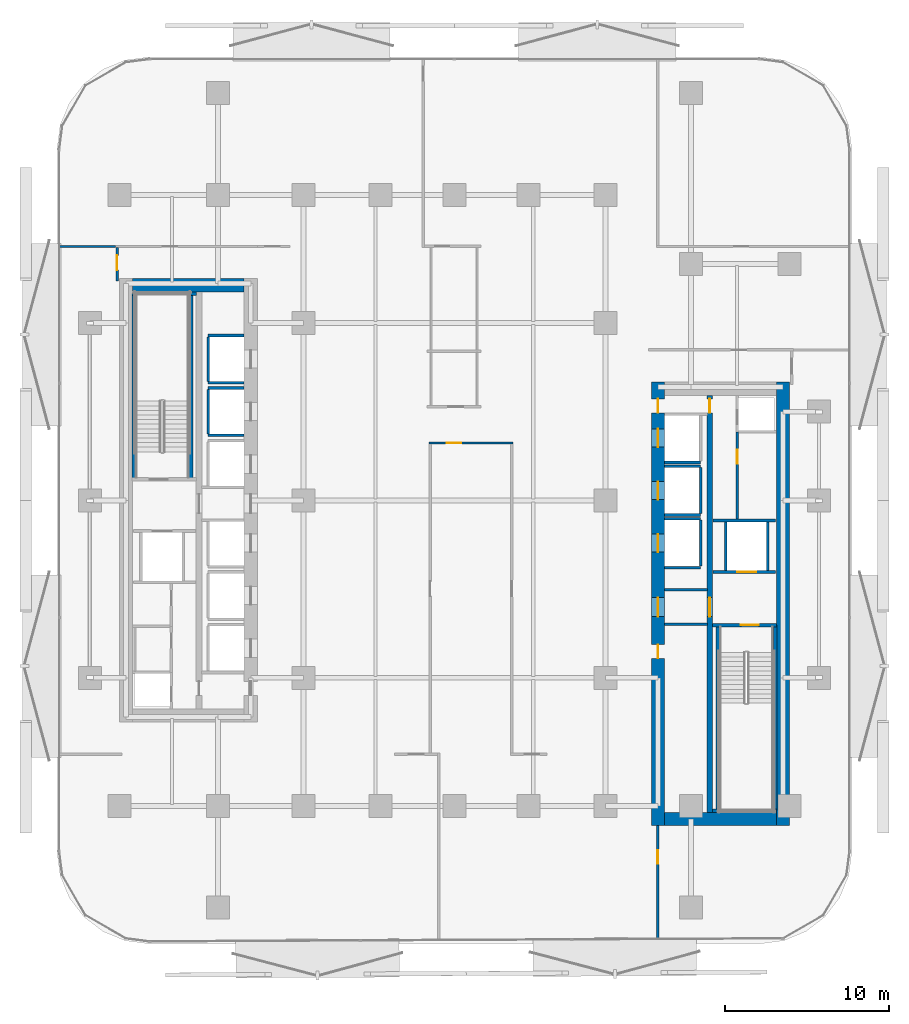
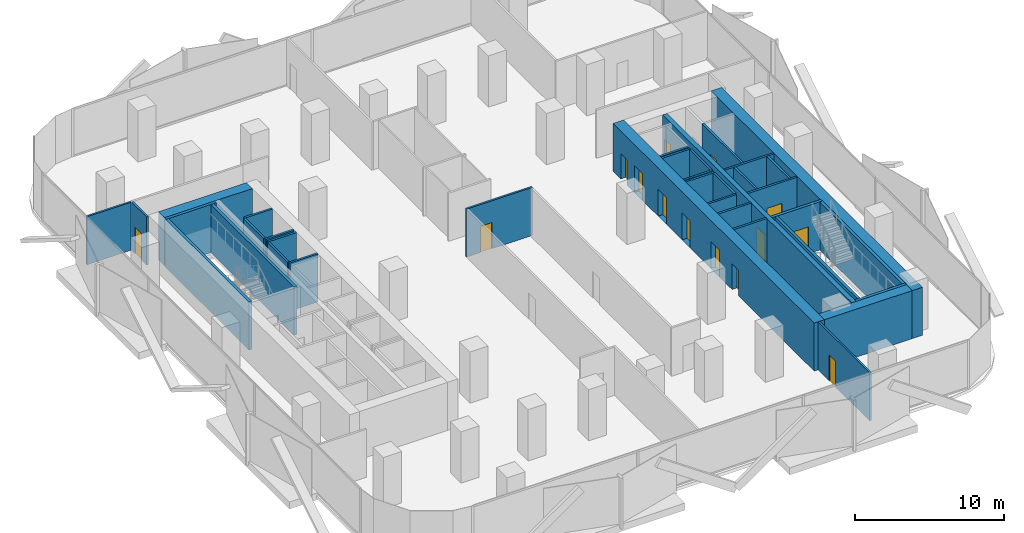
# One storey, part 4 of 14: 36 walls, 14 doors, 14 openings.
"""IFC4 building model written with IfcOpenShell, lengths in metres."""

from ifc_helpers import new_model, si_unit, direction, frame, frame_2d, origin, place, context, subcontext, project, spatial, rectangle, extrude, material, layer, layer_set, type_object, element, fill, save


model = new_model("IFC4")

# Units and contexts
model_context = context("Model", 3, precision=1e-05, world=origin(), true_north=direction((0.0, 1.0)))
body_context = subcontext(model_context, "Body", "Model", "MODEL_VIEW")
ifc_project = project(units=[si_unit("LENGTHUNIT", "METRE"), si_unit("AREAUNIT", "SQUARE_METRE"), si_unit("VOLUMEUNIT", "CUBIC_METRE"), si_unit("PLANEANGLEUNIT", "RADIAN"), si_unit("MASSUNIT", "GRAM", prefix="KILO")], contexts=[model_context])

# Site, building, storey
site_placement = place(None, origin())
site = spatial("IfcSite", under=ifc_project, at=site_placement, CompositionType="ELEMENT")
building_placement = place(site_placement, origin())
building = spatial("IfcBuilding", under=site, at=building_placement, Name="Khairoan Windgate Tower", CompositionType="ELEMENT")
storey_placement = place(building_placement, frame((0.0, 0.0, 63.800048828125)))
storey = spatial("IfcBuildingStorey", under=building, at=storey_placement, Name="L15", CompositionType="ELEMENT", Elevation=63.800048828125)

# Walls
ifc_material_1 = material(Name="Concrete C40/50", Category="concrete")
ifc_layer_1 = layer(ifc_material_1, 0.159912109375, Name="Concrete C40/50")
ifc_layer_set_1 = layer_set([ifc_layer_1], Name="Concrete C40/50")
wall_type_1 = type_object("IfcWallType", Name="Core and Hoistway Enclosure Wall", PredefinedType="STANDARD", material=ifc_layer_set_1)
for number, where, z_axis, x_axis, name in (
    (1, (-14.989990234375, 7.159912109375, 0.0), (0.0, 0.0, 1.0), (1.0, 0.0, 0.0), "L15 Lift PL1 Hoistway Divider S"),
    (2, (-14.989990234375, 10.0400390625, 0.0), (0.0, 0.0, 1.0), (1.0, 0.0, 0.0), "L15 Lift PL1 Hoistway Divider N"),
):
    element("IfcWall", number, at=place(storey_placement, frame(where, z_axis=z_axis, x_axis=x_axis)), inside=storey, type_object=wall_type_1, Name=name, PredefinedType="STANDARD", context=body_context, shape_type="SweptSolid", body=[
        extrude(rectangle(XDim=2.18994140625, YDim=0.159912109375, at=frame_2d((1.094970703125, 0.0))), origin(), (0.0, 0.0, 1.0), 3.93994140625),
    ])
wall_1_placement = place(storey_placement, frame((-14.989990234375, 7.25, 0.0), z_axis=(0.0, 0.0, 1.0), x_axis=(0.0, 1.0, 0.0)))
element("IfcWall", 3, at=wall_1_placement, inside=storey, type_object=wall_type_1, Name="L15 Lift PL1 Hoistway Back Wall", PredefinedType="STANDARD", context=body_context, shape_type="SweptSolid", body=[
    extrude(rectangle(XDim=2.699951171875, YDim=0.159912109375, at=frame_2d((1.35009765625, 0.0))), origin(), (0.0, 0.0, 1.0), 3.93994140625),
])
for number, where, z_axis, x_axis, name in (
    (4, (-14.989990234375, 3.9599609375, 0.0), (0.0, 0.0, 1.0), (1.0, 0.0, 0.0), "L15 Lift PL2 Hoistway Divider S"),
    (5, (-14.989990234375, 6.840087890625, 0.0), (0.0, 0.0, 1.0), (1.0, 0.0, 0.0), "L15 Lift PL2 Hoistway Divider N"),
):
    element("IfcWall", number, at=place(storey_placement, frame(where, z_axis=z_axis, x_axis=x_axis)), inside=storey, type_object=wall_type_1, Name=name, PredefinedType="STANDARD", context=body_context, shape_type="SweptSolid", body=[
        extrude(rectangle(XDim=2.18994140625, YDim=0.159912109375, at=frame_2d((1.094970703125, 0.0))), origin(), (0.0, 0.0, 1.0), 3.93994140625),
    ])
wall_2_placement = place(storey_placement, frame((-14.989990234375, 4.050048828125, 0.0), z_axis=(0.0, 0.0, 1.0), x_axis=(0.0, 1.0, 0.0)))
element("IfcWall", 6, at=wall_2_placement, inside=storey, type_object=wall_type_1, Name="L15 Lift PL2 Hoistway Back Wall", PredefinedType="STANDARD", context=body_context, shape_type="SweptSolid", body=[
    extrude(rectangle(XDim=2.699951171875, YDim=0.159912109375, at=frame_2d((1.35009765625, 0.0))), origin(), (0.0, 0.0, 1.0), 3.93994140625),
])
for number, where, z_axis, x_axis, name in (
    (7, (12.800048828125, 2.31005859375, 0.0), (0.0, 0.0, 1.0), (1.0, 0.0, 0.0), "L15 Lift PL7 Hoistway Divider S"),
    (8, (12.800048828125, -0.889892578125, 0.0), (0.0, 0.0, 1.0), (1.0, 0.0, 0.0), "L15 Lift PL8 Hoistway Divider S"),
    (9, (12.800048828125, 2.090087890625, 0.0), (0.0, 0.0, 1.0), (1.0, 0.0, 0.0), "L15 Lift PL8 Hoistway Divider N"),
):
    element("IfcWall", number, at=place(storey_placement, frame(where, z_axis=z_axis, x_axis=x_axis)), inside=storey, type_object=wall_type_1, Name=name, PredefinedType="STANDARD", context=body_context, shape_type="SweptSolid", body=[
        extrude(rectangle(XDim=2.18994140625, YDim=0.159912109375, at=frame_2d((1.094970703125, 0.0))), origin(), (0.0, 0.0, 1.0), 3.93994140625),
    ])
wall_3_placement = place(storey_placement, frame((14.989990234375, -0.800048828125, 0.0), z_axis=(0.0, 0.0, 1.0), x_axis=(0.0, 1.0, 0.0)))
element("IfcWall", 10, at=wall_3_placement, inside=storey, type_object=wall_type_1, Name="L15 Lift PL8 Hoistway Back Wall", PredefinedType="STANDARD", context=body_context, shape_type="SweptSolid", body=[
    extrude(rectangle(XDim=2.800048828125, YDim=0.159912109375, at=frame_2d((1.39990234375, 0.0))), origin(), (0.0, 0.0, 1.0), 3.93994140625),
])
for number, where, z_axis, x_axis, name in (
    (11, (12.800048828125, -4.090087890625, 0.0), (0.0, 0.0, 1.0), (1.0, 0.0, 0.0), "L15 Lift PL9 Hoistway Divider S"),
    (12, (12.800048828125, -1.110107421875, 0.0), (0.0, 0.0, 1.0), (1.0, 0.0, 0.0), "L15 Lift PL9 Hoistway Divider N"),
):
    element("IfcWall", number, at=place(storey_placement, frame(where, z_axis=z_axis, x_axis=x_axis)), inside=storey, type_object=wall_type_1, Name=name, PredefinedType="STANDARD", context=body_context, shape_type="SweptSolid", body=[
        extrude(rectangle(XDim=2.18994140625, YDim=0.159912109375, at=frame_2d((1.094970703125, 0.0))), origin(), (0.0, 0.0, 1.0), 3.93994140625),
    ])
wall_4_placement = place(storey_placement, frame((14.989990234375, -4.0, 0.0), z_axis=(0.0, 0.0, 1.0), x_axis=(0.0, 1.0, 0.0)))
element("IfcWall", 13, at=wall_4_placement, inside=storey, type_object=wall_type_1, Name="L15 Lift PL9 Hoistway Back Wall", PredefinedType="STANDARD", context=body_context, shape_type="SweptSolid", body=[
    extrude(rectangle(XDim=2.800048828125, YDim=0.159912109375, at=frame_2d((1.39990234375, 0.0))), origin(), (0.0, 0.0, 1.0), 3.93994140625),
])

# Wall, opening, door
wall_5_placement = place(storey_placement, frame((15.75, -4.360107421875, 0.0), z_axis=(0.0, 0.0, 1.0), x_axis=(1.0, 0.0, 0.0)))
wall_5 = element("IfcWall", 14, at=wall_5_placement, inside=storey, type_object=wall_type_1, Name="L15 Core Shaft Wall SW-FL1-L15", PredefinedType="STANDARD", context=body_context, shape_type="SweptSolid", body=[
    extrude(rectangle(XDim=3.800048828125, YDim=0.159912109375, at=frame_2d((1.89990234375, 0.0))), origin(), (0.0, 0.0, 1.0), 3.93994140625),
])
opening_1_placement = place(wall_5_placement, frame((1.469970703125, 0.0, 0.0)))
opening_1 = element("IfcOpeningElement", 15, at=opening_1_placement, cuts=wall_5, Name="Opening LD-FL", PredefinedType="OPENING", context=body_context, shape_type="SweptSolid", body=[
    extrude(rectangle(XDim=1.14990234375, YDim=2.199951171875, at=frame_2d((0.574951171875, 1.10009765625))), frame((0.0, 0.08984375, 0.0), z_axis=(0.0, -1.0, 0.0), x_axis=(1.0, 0.0, 0.0)), (0.0, 0.0, 1.0), 0.179931640625),
])
ifc_material_2 = material(Name="Steel S355", Category="steel")
door_type_1 = type_object("IfcDoorType", Name="Firefighting Lift Sliding Landing Door LD-FL 1150x2200", OperationType="DOUBLE_DOOR_SLIDING", PredefinedType="DOOR", material=ifc_material_2)
door_1_placement = place(opening_1_placement, origin())
door_1 = element("IfcDoor", 16, at=door_1_placement, inside=storey, type_object=door_type_1, Name="L15 Firefighting Lift FL1 Landing Door", OperationType="DOUBLE_DOOR_SLIDING", OverallHeight=2.199951171875, OverallWidth=1.14990234375, PredefinedType="DOOR", context=body_context, shape_type="SweptSolid", body=[
    extrude(rectangle(XDim=1.14990234375, YDim=2.199951171875, at=frame_2d((0.574951171875, 1.10009765625))), frame((0.0, 0.02490234375, 0.0), z_axis=(0.0, -1.0, 0.0), x_axis=(1.0, 0.0, 0.0)), (0.0, 0.0, 1.0), 0.050048828125),
])
fill(opening_1, door_1)

# Walls
wall_6_placement = place(storey_placement, frame((15.75, -1.219970703125, 0.0), z_axis=(0.0, 0.0, 1.0), x_axis=(1.0, 0.0, 0.0)))
element("IfcWall", 17, at=wall_6_placement, inside=storey, type_object=wall_type_1, Name="L15 Core Shaft Wall SW-FL1T-L15", PredefinedType="STANDARD", context=body_context, shape_type="SweptSolid", body=[
    extrude(rectangle(XDim=3.800048828125, YDim=0.159912109375, at=frame_2d((1.89990234375, 0.0))), origin(), (0.0, 0.0, 1.0), 3.93994140625),
])
for number, where, z_axis, x_axis, name in (
    (18, (16.52001953125, -4.280029296875, 0.0), (0.0, 0.0, 1.0), (0.0, 1.0, 0.0), "L15 Core Shaft Wall SW-FL1W-L15"),
    (19, (19.080078125, -4.280029296875, 0.0), (0.0, 0.0, 1.0), (0.0, 1.0, 0.0), "L15 Core Shaft Wall SW-FL1E-L15"),
):
    element("IfcWall", number, at=place(storey_placement, frame(where, z_axis=z_axis, x_axis=x_axis)), inside=storey, type_object=wall_type_1, Name=name, PredefinedType="STANDARD", context=body_context, shape_type="SweptSolid", body=[
        extrude(rectangle(XDim=2.97998046875, YDim=0.159912109375, at=frame_2d((1.489990234375, 0.0))), origin(), (0.0, 0.0, 1.0), 3.93994140625),
    ])
for number, where, z_axis, x_axis, name in (
    (20, (12.800048828125, -5.449951171875, 0.0), (0.0, 0.0, 1.0), (1.0, 0.0, 0.0), "L15 Core Shaft Wall SW-EV1-L15"),
    (21, (12.800048828125, -7.5400390625, 0.0), (0.0, 0.0, 1.0), (1.0, 0.0, 0.0), "L15 Core Shaft Wall SW-EV2-L15"),
):
    element("IfcWall", number, at=place(storey_placement, frame(where, z_axis=z_axis, x_axis=x_axis)), inside=storey, type_object=wall_type_1, Name=name, PredefinedType="STANDARD", context=body_context, shape_type="SweptSolid", body=[
        extrude(rectangle(XDim=2.599853515625, YDim=0.159912109375, at=frame_2d((1.2998046875, 0.0))), origin(), (0.0, 0.0, 1.0), 3.93994140625),
    ])
ifc_material_3 = material(Name="Acoustic Fire-Rated Gypsum Partition", Category="gypsum")
ifc_layer_2 = layer(ifc_material_3, 0.139892578125, Name="Acoustic Fire-Rated Gypsum Partition")
ifc_layer_set_2 = layer_set([ifc_layer_2], Name="Acoustic Fire-Rated Gypsum Partition")
wall_type_2 = type_object("IfcWallType", Name="Inter-Tenancy Compartment Wall", PredefinedType="PARTITIONING", material=ifc_layer_set_2)
wall_7_placement = place(storey_placement, frame((-24.054931640625, 15.4599609375, 0.0), z_axis=(0.0, 0.0, 1.0), x_axis=(1.0, 0.0, 0.0)))
element("IfcWall", 22, at=wall_7_placement, inside=storey, type_object=wall_type_2, Name="L15 Interior Partition 020", PredefinedType="PARTITIONING", context=body_context, shape_type="SweptSolid", body=[
    extrude(rectangle(XDim=3.4150390625, YDim=0.139892578125, at=frame_2d((1.70751953125, 0.0))), origin(), (0.0, 0.0, 1.0), 3.93994140625),
])

# Wall, opening, door
wall_8_placement = place(storey_placement, frame((12.3759765625, -26.704833984375, 0.0), z_axis=(0.0, 0.0, 1.0), x_axis=(0.0, 1.0, 0.0)))
wall_8 = element("IfcWall", 23, at=wall_8_placement, inside=storey, type_object=wall_type_2, Name="L15 Interior Partition 028", PredefinedType="PARTITIONING", context=body_context, shape_type="SweptSolid", body=[
    extrude(rectangle(XDim=6.90478515625, YDim=0.139892578125, at=frame_2d((3.452392578125, 0.0))), origin(), (0.0, 0.0, 1.0), 3.93994140625),
])
opening_2_placement = place(wall_8_placement, frame((4.56787109375, 0.0, 0.0)))
opening_2 = element("IfcOpeningElement", 24, at=opening_2_placement, cuts=wall_8, Name="Opening FD-SRV", PredefinedType="OPENING", context=body_context, shape_type="SweptSolid", body=[
    extrude(rectangle(XDim=0.85009765625, YDim=2.10009765625, at=frame_2d((0.425048828125, 1.050048828125))), frame((0.0, 0.079833984375, 0.0), z_axis=(0.0, -1.0, 0.0), x_axis=(1.0, 0.0, 0.0)), (0.0, 0.0, 1.0), 0.159912109375),
])
ifc_material_4 = material(Name="Steel S355", Category="steel")
door_type_2 = type_object("IfcDoorType", Name="Core Service and Riser Fire Door FD-SRV 850x2100", OperationType="NOTDEFINED", PredefinedType="DOOR", material=ifc_material_4)
door_2_placement = place(opening_2_placement, origin())
door_2 = element("IfcDoor", 25, at=door_2_placement, inside=storey, type_object=door_type_2, Name="L15 L15-42-L15-43 Door", OperationType="SINGLE_SWING_LEFT", OverallHeight=2.10009765625, OverallWidth=0.85009765625, PredefinedType="DOOR", context=body_context, shape_type="SweptSolid", body=[
    extrude(rectangle(XDim=0.85009765625, YDim=2.10009765625, at=frame_2d((0.425048828125, 1.050048828125))), frame((0.0, 0.02490234375, 0.0), z_axis=(0.0, -1.0, 0.0), x_axis=(1.0, 0.0, 0.0)), (0.0, 0.0, 1.0), 0.050048828125),
])
fill(opening_2, door_2)

ifc_material_5 = material(Name="Concrete C40/50", Category="concrete")
ifc_layer_3 = layer(ifc_material_5, 0.159912109375, Name="Concrete C40/50")
ifc_layer_set_3 = layer_set([ifc_layer_3], Name="Concrete C40/50")
wall_type_3 = type_object("IfcWallType", Name="Plant and Refuge Compartment Wall", PredefinedType="PARTITIONING", material=ifc_layer_set_3)
wall_9_placement = place(storey_placement, frame((17.22998046875, -1.139892578125, 0.0), z_axis=(0.0, 0.0, 1.0), x_axis=(0.0, 1.0, 0.0)))
wall_9 = element("IfcWall", 26, at=wall_9_placement, inside=storey, type_object=wall_type_3, Name="L15 Interior Partition 007", PredefinedType="PARTITIONING", context=body_context, shape_type="SweptSolid", body=[
    extrude(rectangle(XDim=5.309814453125, YDim=0.159912109375, at=frame_2d((2.65478515625, 0.0))), origin(), (0.0, 0.0, 1.0), 3.93994140625),
])
opening_3_placement = place(wall_9_placement, frame((3.375244140625, 0.0, 0.0)))
opening_3 = element("IfcOpeningElement", 27, at=opening_3_placement, cuts=wall_9, Name="Opening FD-SRV", PredefinedType="OPENING", context=body_context, shape_type="SweptSolid", body=[
    extrude(rectangle(XDim=0.85009765625, YDim=2.10009765625, at=frame_2d((0.425048828125, 1.050048828125))), frame((0.0, 0.08984375, 0.0), z_axis=(0.0, -1.0, 0.0), x_axis=(1.0, 0.0, 0.0)), (0.0, 0.0, 1.0), 0.179931640625),
])
door_3_placement = place(opening_3_placement, origin())
door_3 = element("IfcDoor", 28, at=door_3_placement, inside=storey, type_object=door_type_2, Name="L15 L15-19-L15-21 Door", OperationType="SINGLE_SWING_LEFT", OverallHeight=2.10009765625, OverallWidth=0.85009765625, PredefinedType="DOOR", context=body_context, shape_type="SweptSolid", body=[
    extrude(rectangle(XDim=0.85009765625, YDim=2.10009765625, at=frame_2d((0.425048828125, 1.050048828125))), frame((0.0, 0.02490234375, 0.0), z_axis=(0.0, -1.0, 0.0), x_axis=(1.0, 0.0, 0.0)), (0.0, 0.0, 1.0), 0.050048828125),
])
fill(opening_3, door_3)

ifc_material_6 = material(Name="Acoustic Fire-Rated Gypsum Partition", Category="gypsum")
ifc_layer_4 = layer(ifc_material_6, 0.14990234375, Name="Acoustic Fire-Rated Gypsum Partition")
ifc_layer_set_4 = layer_set([ifc_layer_4], Name="Acoustic Fire-Rated Gypsum Partition")
wall_type_4 = type_object("IfcWallType", Name="Rated Corridor Partition Wall", PredefinedType="PARTITIONING", material=ifc_layer_set_4)
wall_10_placement = place(storey_placement, frame((-1.56005859375, 3.4951171875, 0.0), z_axis=(0.0, 0.0, 1.0), x_axis=(1.0, 0.0, 0.0)))
wall_10 = element("IfcWall", 29, at=wall_10_placement, inside=storey, type_object=wall_type_4, Name="L15 Interior Partition 011", PredefinedType="PARTITIONING", context=body_context, shape_type="SweptSolid", body=[
    extrude(rectangle(XDim=5.1201171875, YDim=0.14990234375, at=frame_2d((2.56005859375, 0.0))), origin(), (0.0, 0.0, 1.0), 3.93994140625),
])
opening_4_placement = place(wall_10_placement, frame((1.07861328125, 0.0, 0.0)))
opening_4 = element("IfcOpeningElement", 30, at=opening_4_placement, cuts=wall_10, Name="Opening FD-ENT", PredefinedType="OPENING", context=body_context, shape_type="SweptSolid", body=[
    extrude(rectangle(XDim=0.89990234375, YDim=2.14990234375, at=frame_2d((0.449951171875, 1.074951171875))), frame((0.0, 0.0849609375, 0.0), z_axis=(0.0, -1.0, 0.0), x_axis=(1.0, 0.0, 0.0)), (0.0, 0.0, 1.0), 0.169921875),
])
ifc_material_7 = material(Name="Timber Fire-Rated Core", Category="wood")
door_type_3 = type_object("IfcDoorType", Name="Unit and Office Fire Entrance Door FD-ENT 900x2150", OperationType="NOTDEFINED", PredefinedType="DOOR", material=ifc_material_7)
door_4_placement = place(opening_4_placement, origin())
door_4 = element("IfcDoor", 31, at=door_4_placement, inside=storey, type_object=door_type_3, Name="L15 L15-30-L15-46 Door", OperationType="SINGLE_SWING_RIGHT", OverallHeight=2.14990234375, OverallWidth=0.89990234375, PredefinedType="DOOR", context=body_context, shape_type="SweptSolid", body=[
    extrude(rectangle(XDim=0.89990234375, YDim=2.14990234375, at=frame_2d((0.449951171875, 1.074951171875))), frame((0.0, 0.02490234375, 0.0), z_axis=(0.0, -1.0, 0.0), x_axis=(1.0, 0.0, 0.0)), (0.0, 0.0, 1.0), 0.050048828125),
])
fill(opening_4, door_4)

wall_11_placement = place(storey_placement, frame((-20.5400390625, 13.360107421875, 0.0), z_axis=(0.0, 0.0, 1.0), x_axis=(0.0, 1.0, 0.0)))
wall_11 = element("IfcWall", 32, at=wall_11_placement, inside=storey, type_object=wall_type_4, Name="L15 Interior Partition 016", PredefinedType="PARTITIONING", context=body_context, shape_type="SweptSolid", body=[
    extrude(rectangle(XDim=2.02490234375, YDim=0.14990234375, at=frame_2d((1.012451171875, 0.0))), origin(), (0.0, 0.0, 1.0), 3.93994140625),
])
opening_5_placement = place(wall_11_placement, frame((0.6650390625, 0.0, 0.0)))
opening_5 = element("IfcOpeningElement", 33, at=opening_5_placement, cuts=wall_11, Name="Opening FD-ENT", PredefinedType="OPENING", context=body_context, shape_type="SweptSolid", body=[
    extrude(rectangle(XDim=0.89990234375, YDim=2.14990234375, at=frame_2d((0.449951171875, 1.074951171875))), frame((0.0, 0.0849609375, 0.0), z_axis=(0.0, -1.0, 0.0), x_axis=(1.0, 0.0, 0.0)), (0.0, 0.0, 1.0), 0.169921875),
])
door_5_placement = place(opening_5_placement, origin())
door_5 = element("IfcDoor", 34, at=door_5_placement, inside=storey, type_object=door_type_3, Name="L15 L15-33-L15-35 Door", OperationType="SINGLE_SWING_LEFT", OverallHeight=2.14990234375, OverallWidth=0.89990234375, PredefinedType="DOOR", context=body_context, shape_type="SweptSolid", body=[
    extrude(rectangle(XDim=0.89990234375, YDim=2.14990234375, at=frame_2d((0.449951171875, 1.074951171875))), frame((0.0, 0.02490234375, 0.0), z_axis=(0.0, -1.0, 0.0), x_axis=(1.0, 0.0, 0.0)), (0.0, 0.0, 1.0), 0.050048828125),
])
fill(opening_5, door_5)

# Wall, openings, doors
ifc_material_8 = material(Name="Concrete C70/85", Category="concrete")
ifc_layer_5 = layer(ifc_material_8, 0.800048828125, Name="Concrete C70/85")
ifc_layer_set_5 = layer_set([ifc_layer_5], Name="Concrete C70/85")
wall_type_5 = type_object("IfcWallType", Name="Shear Wall CW-E1 800mm", PredefinedType="SHEAR", material=ifc_layer_set_5)
wall_12_placement = place(storey_placement, frame((12.39990234375, -19.800048828125, 0.0), z_axis=(0.0, 0.0, 1.0), x_axis=(0.0, 1.0, 0.0)))
wall_12 = element("IfcWall", 35, at=wall_12_placement, inside=storey, type_object=wall_type_5, Name="E Core West Shear Wall L15", PredefinedType="SHEAR", context=body_context, shape_type="SweptSolid", body=[
    extrude(rectangle(XDim=27.0, YDim=0.800048828125, at=frame_2d((13.5, 0.0))), origin(), (0.0, 0.0, 1.0), 3.93994140625),
])
opening_6_placement = place(wall_12_placement, frame((23.050048828125, 0.0, 0.0)))
opening_6 = element("IfcOpeningElement", 36, at=opening_6_placement, cuts=wall_12, Name="Opening LD-PL", PredefinedType="OPENING", context=body_context, shape_type="SweptSolid", body=[
    extrude(rectangle(XDim=1.10009765625, YDim=2.199951171875, at=frame_2d((0.550048828125, 1.10009765625))), frame((0.0, 0.409912109375, 0.0), z_axis=(0.0, -1.0, 0.0), x_axis=(1.0, 0.0, 0.0)), (0.0, 0.0, 1.0), 0.820068359375),
])
opening_7_placement = place(wall_12_placement, frame((19.85009765625, 0.0, 0.0)))
opening_7 = element("IfcOpeningElement", 37, at=opening_7_placement, cuts=wall_12, Name="Opening LD-PL", PredefinedType="OPENING", context=body_context, shape_type="SweptSolid", body=[
    extrude(rectangle(XDim=1.10009765625, YDim=2.199951171875, at=frame_2d((0.550048828125, 1.10009765625))), frame((0.0, 0.409912109375, 0.0), z_axis=(0.0, -1.0, 0.0), x_axis=(1.0, 0.0, 0.0)), (0.0, 0.0, 1.0), 0.820068359375),
])
opening_8_placement = place(wall_12_placement, frame((16.64990234375, 0.0, 0.0)))
opening_8 = element("IfcOpeningElement", 38, at=opening_8_placement, cuts=wall_12, Name="Opening LD-PL", PredefinedType="OPENING", context=body_context, shape_type="SweptSolid", body=[
    extrude(rectangle(XDim=1.10009765625, YDim=2.199951171875, at=frame_2d((0.550048828125, 1.10009765625))), frame((0.0, 0.409912109375, 0.0), z_axis=(0.0, -1.0, 0.0), x_axis=(1.0, 0.0, 0.0)), (0.0, 0.0, 1.0), 0.820068359375),
])
opening_9_placement = place(wall_12_placement, frame((10.175048828125, 0.0, 0.0)))
opening_9 = element("IfcOpeningElement", 39, at=opening_9_placement, cuts=wall_12, Name="Opening FD-SRV", PredefinedType="OPENING", context=body_context, shape_type="SweptSolid", body=[
    extrude(rectangle(XDim=0.85009765625, YDim=2.10009765625, at=frame_2d((0.425048828125, 1.050048828125))), frame((0.0, 0.409912109375, 0.0), z_axis=(0.0, -1.0, 0.0), x_axis=(1.0, 0.0, 0.0)), (0.0, 0.0, 1.0), 0.820068359375),
])
opening_10_placement = place(wall_12_placement, frame((12.72509765625, 0.0, 0.0)))
opening_10 = element("IfcOpeningElement", 40, at=opening_10_placement, cuts=wall_12, Name="Opening FD-FFL", PredefinedType="OPENING", context=body_context, shape_type="SweptSolid", body=[
    extrude(rectangle(XDim=1.14990234375, YDim=2.199951171875, at=frame_2d((0.574951171875, 1.10009765625))), frame((0.0, 0.409912109375, 0.0), z_axis=(0.0, -1.0, 0.0), x_axis=(1.0, 0.0, 0.0)), (0.0, 0.0, 1.0), 0.820068359375),
])
opening_11_placement = place(wall_12_placement, frame((25.125, 0.0, 0.0)))
opening_11 = element("IfcOpeningElement", 41, at=opening_11_placement, cuts=wall_12, Name="Opening FD-SRV", PredefinedType="OPENING", context=body_context, shape_type="SweptSolid", body=[
    extrude(rectangle(XDim=0.85009765625, YDim=2.10009765625, at=frame_2d((0.425048828125, 1.050048828125))), frame((0.0, 0.409912109375, 0.0), z_axis=(0.0, -1.0, 0.0), x_axis=(1.0, 0.0, 0.0)), (0.0, 0.0, 1.0), 0.820068359375),
])
door_6_placement = place(opening_9_placement, origin())
door_6 = element("IfcDoor", 42, at=door_6_placement, inside=storey, type_object=door_type_2, Name="L15 East Core Service Room Door 1", OperationType="SINGLE_SWING_RIGHT", OverallHeight=2.10009765625, OverallWidth=0.85009765625, PredefinedType="DOOR", context=body_context, shape_type="SweptSolid", body=[
    extrude(rectangle(XDim=0.85009765625, YDim=2.10009765625, at=frame_2d((0.425048828125, 1.050048828125))), frame((0.0, 0.02490234375, 0.0), z_axis=(0.0, -1.0, 0.0), x_axis=(1.0, 0.0, 0.0)), (0.0, 0.0, 1.0), 0.050048828125),
])
fill(opening_9, door_6)
door_7_placement = place(opening_11_placement, origin())
door_7 = element("IfcDoor", 43, at=door_7_placement, inside=storey, type_object=door_type_2, Name="L15 East Core Service Vestibule Outer Door", OperationType="SINGLE_SWING_LEFT", OverallHeight=2.10009765625, OverallWidth=0.85009765625, PredefinedType="DOOR", context=body_context, shape_type="SweptSolid", body=[
    extrude(rectangle(XDim=0.85009765625, YDim=2.10009765625, at=frame_2d((0.425048828125, 1.050048828125))), frame((0.0, 0.02490234375, 0.0), z_axis=(0.0, -1.0, 0.0), x_axis=(1.0, 0.0, 0.0)), (0.0, 0.0, 1.0), 0.050048828125),
])
fill(opening_11, door_7)
ifc_material_9 = material(Name="Steel S355", Category="steel")
door_type_4 = type_object("IfcDoorType", Name="Firefighting Lobby Fire Door FD-FFL 1150x2200", OperationType="NOTDEFINED", PredefinedType="DOOR", material=ifc_material_9)
door_8_placement = place(opening_10_placement, origin())
door_8 = element("IfcDoor", 44, at=door_8_placement, inside=storey, type_object=door_type_4, Name="L15 East Core Vestibule Entry Door", OperationType="SINGLE_SWING_LEFT", OverallHeight=2.199951171875, OverallWidth=1.14990234375, PredefinedType="DOOR", context=body_context, shape_type="SweptSolid", body=[
    extrude(rectangle(XDim=1.14990234375, YDim=2.199951171875, at=frame_2d((0.574951171875, 1.10009765625))), frame((0.0, 0.02490234375, 0.0), z_axis=(0.0, -1.0, 0.0), x_axis=(1.0, 0.0, 0.0)), (0.0, 0.0, 1.0), 0.050048828125),
])
fill(opening_10, door_8)
ifc_material_10 = material(Name="Anodised Bronze Aluminium 6063-T6", Category="aluminium")
door_type_5 = type_object("IfcDoorType", Name="Passenger Lift Sliding Landing Door LD-PL 1100x2200", OperationType="DOUBLE_DOOR_SLIDING", PredefinedType="DOOR", material=ifc_material_10)
door_9_placement = place(opening_6_placement, origin())
door_9 = element("IfcDoor", 45, at=door_9_placement, inside=storey, type_object=door_type_5, Name="L15 Lift PL7 Sliding Landing Door", OperationType="DOUBLE_DOOR_SLIDING", OverallHeight=2.199951171875, OverallWidth=1.10009765625, PredefinedType="DOOR", context=body_context, shape_type="SweptSolid", body=[
    extrude(rectangle(XDim=1.10009765625, YDim=2.199951171875, at=frame_2d((0.550048828125, 1.10009765625))), frame((0.0, 0.02490234375, 0.0), z_axis=(0.0, -1.0, 0.0), x_axis=(1.0, 0.0, 0.0)), (0.0, 0.0, 1.0), 0.050048828125),
])
fill(opening_6, door_9)
door_10_placement = place(opening_7_placement, origin())
door_10 = element("IfcDoor", 46, at=door_10_placement, inside=storey, type_object=door_type_5, Name="L15 Lift PL8 Sliding Landing Door", OperationType="DOUBLE_DOOR_SLIDING", OverallHeight=2.199951171875, OverallWidth=1.10009765625, PredefinedType="DOOR", context=body_context, shape_type="SweptSolid", body=[
    extrude(rectangle(XDim=1.10009765625, YDim=2.199951171875, at=frame_2d((0.550048828125, 1.10009765625))), frame((0.0, 0.02490234375, 0.0), z_axis=(0.0, -1.0, 0.0), x_axis=(1.0, 0.0, 0.0)), (0.0, 0.0, 1.0), 0.050048828125),
])
fill(opening_7, door_10)
door_11_placement = place(opening_8_placement, origin())
door_11 = element("IfcDoor", 47, at=door_11_placement, inside=storey, type_object=door_type_5, Name="L15 Lift PL9 Sliding Landing Door", OperationType="DOUBLE_DOOR_SLIDING", OverallHeight=2.199951171875, OverallWidth=1.10009765625, PredefinedType="DOOR", context=body_context, shape_type="SweptSolid", body=[
    extrude(rectangle(XDim=1.10009765625, YDim=2.199951171875, at=frame_2d((0.550048828125, 1.10009765625))), frame((0.0, 0.02490234375, 0.0), z_axis=(0.0, -1.0, 0.0), x_axis=(1.0, 0.0, 0.0)), (0.0, 0.0, 1.0), 0.050048828125),
])
fill(opening_8, door_11)

# Walls
wall_13_placement = place(storey_placement, frame((20.0, -19.800048828125, 0.0), z_axis=(0.0, 0.0, 1.0), x_axis=(0.0, 1.0, 0.0)))
element("IfcWall", 48, at=wall_13_placement, inside=storey, type_object=wall_type_5, Name="E Core East Shear Wall L15", PredefinedType="SHEAR", context=body_context, shape_type="SweptSolid", body=[
    extrude(rectangle(XDim=27.0, YDim=0.800048828125, at=frame_2d((13.5, 0.0))), origin(), (0.0, 0.0, 1.0), 3.93994140625),
])
wall_14_placement = place(storey_placement, frame((12.800048828125, -19.39990234375, 0.0), z_axis=(0.0, 0.0, 1.0), x_axis=(1.0, 0.0, 0.0)))
element("IfcWall", 49, at=wall_14_placement, inside=storey, type_object=wall_type_5, Name="E Core South Shear Wall L15", PredefinedType="SHEAR", context=body_context, shape_type="SweptSolid", body=[
    extrude(rectangle(XDim=6.800048828125, YDim=0.800048828125, at=frame_2d((3.39990234375, 0.0))), origin(), (0.0, 0.0, 1.0), 3.93994140625),
])
ifc_material_11 = material(Name="Concrete C70/85", Category="concrete")
ifc_layer_6 = layer(ifc_material_11, 0.800048828125, Name="Concrete C70/85")
ifc_layer_set_6 = layer_set([ifc_layer_6], Name="Concrete C70/85")
wall_type_6 = type_object("IfcWallType", Name="Shear Wall CW-W1 800mm", PredefinedType="SHEAR", material=ifc_layer_set_6)
wall_15_placement = place(storey_placement, frame((-19.60009765625, 13.10009765625, 0.0), z_axis=(0.0, 0.0, 1.0), x_axis=(1.0, 0.0, 0.0)))
element("IfcWall", 50, at=wall_15_placement, inside=storey, type_object=wall_type_6, Name="W Core North Shear Wall L15", PredefinedType="SHEAR", context=body_context, shape_type="SweptSolid", body=[
    extrude(rectangle(XDim=6.800048828125, YDim=0.800048828125, at=frame_2d((3.39990234375, 0.0))), origin(), (0.0, 0.0, 1.0), 3.93994140625),
])

# Wall, openings, doors
ifc_material_12 = material(Name="Concrete C60/75", Category="concrete")
ifc_layer_7 = layer(ifc_material_12, 0.35009765625, Name="Concrete C60/75")
ifc_layer_set_7 = layer_set([ifc_layer_7], Name="Concrete C60/75")
wall_type_7 = type_object("IfcWallType", Name="Shear Wall SW-1 350mm", PredefinedType="SHEAR", material=ifc_layer_set_7)
wall_16_placement = place(storey_placement, frame((15.550048828125, -19.0, 0.0), z_axis=(0.0, 0.0, 1.0), x_axis=(0.0, 1.0, 0.0)))
wall_16 = element("IfcWall", 51, at=wall_16_placement, inside=storey, type_object=wall_type_7, Name="E Core Spine Shear Wall L15", PredefinedType="SHEAR", context=body_context, shape_type="SweptSolid", body=[
    extrude(rectangle(XDim=25.39990234375, YDim=0.35009765625, at=frame_2d((12.699951171875, 0.0))), origin(), (0.0, 0.0, 1.0), 3.93994140625),
])
opening_12_placement = place(wall_16_placement, frame((11.925048828125, 0.0, 0.0)))
opening_12 = element("IfcOpeningElement", 52, at=opening_12_placement, cuts=wall_16, Name="Opening FD-FFL", PredefinedType="OPENING", context=body_context, shape_type="SweptSolid", body=[
    extrude(rectangle(XDim=1.14990234375, YDim=2.199951171875, at=frame_2d((0.574951171875, 1.10009765625))), frame((0.0, 0.18505859375, 0.0), z_axis=(0.0, -1.0, 0.0), x_axis=(1.0, 0.0, 0.0)), (0.0, 0.0, 1.0), 0.3701171875),
])
opening_13_placement = place(wall_16_placement, frame((24.324951171875, 0.0, 0.0)))
opening_13 = element("IfcOpeningElement", 53, at=opening_13_placement, cuts=wall_16, Name="Opening FD-SRV", PredefinedType="OPENING", context=body_context, shape_type="SweptSolid", body=[
    extrude(rectangle(XDim=0.85009765625, YDim=2.10009765625, at=frame_2d((0.425048828125, 1.050048828125))), frame((0.0, 0.18505859375, 0.0), z_axis=(0.0, -1.0, 0.0), x_axis=(1.0, 0.0, 0.0)), (0.0, 0.0, 1.0), 0.3701171875),
])
door_12_placement = place(opening_13_placement, origin())
door_12 = element("IfcDoor", 54, at=door_12_placement, inside=storey, type_object=door_type_2, Name="L15 East Core Service Passage Inner Door", OperationType="SINGLE_SWING_RIGHT", OverallHeight=2.10009765625, OverallWidth=0.85009765625, PredefinedType="DOOR", context=body_context, shape_type="SweptSolid", body=[
    extrude(rectangle(XDim=0.85009765625, YDim=2.10009765625, at=frame_2d((0.425048828125, 1.050048828125))), frame((0.0, 0.02490234375, 0.0), z_axis=(0.0, -1.0, 0.0), x_axis=(1.0, 0.0, 0.0)), (0.0, 0.0, 1.0), 0.050048828125),
])
fill(opening_13, door_12)
door_13_placement = place(opening_12_placement, origin())
door_13 = element("IfcDoor", 55, at=door_13_placement, inside=storey, type_object=door_type_4, Name="L15 East Firefighting Lobby Fire Door", OperationType="SINGLE_SWING_RIGHT", OverallHeight=2.199951171875, OverallWidth=1.14990234375, PredefinedType="DOOR", context=body_context, shape_type="SweptSolid", body=[
    extrude(rectangle(XDim=1.14990234375, YDim=2.199951171875, at=frame_2d((0.574951171875, 1.10009765625))), frame((0.0, 0.02490234375, 0.0), z_axis=(0.0, -1.0, 0.0), x_axis=(1.0, 0.0, 0.0)), (0.0, 0.0, 1.0), 0.050048828125),
])
fill(opening_12, door_13)

# Walls
ifc_material_13 = material(Name="Concrete C50/60", Category="concrete")
ifc_layer_8 = layer(ifc_material_13, 0.219970703125, Name="Concrete C50/60")
ifc_layer_set_8 = layer_set([ifc_layer_8], Name="Concrete C50/60")
wall_type_8 = type_object("IfcWallType", Name="Shear Wall SW-ST 220mm", PredefinedType="SHEAR", material=ifc_layer_set_8)
for number, where, z_axis, x_axis, name in (
    (56, (16.0400390625, -18.889892578125, 0.0), (0.0, 0.0, 1.0), (0.0, 1.0, 0.0), "L15 Stair ST1 West Bearing Wall"),
    (57, (19.530029296875, -18.889892578125, 0.0), (0.0, 0.0, 1.0), (0.0, 1.0, 0.0), "L15 Stair ST1 East Bearing Wall"),
):
    element("IfcWall", number, at=place(storey_placement, frame(where, z_axis=z_axis, x_axis=x_axis)), inside=storey, type_object=wall_type_8, Name=name, PredefinedType="SHEAR", context=body_context, shape_type="SweptSolid", body=[
        extrude(rectangle(XDim=11.2998046875, YDim=0.219970703125, at=frame_2d((5.64990234375, 0.0))), origin(), (0.0, 0.0, 1.0), 3.93994140625),
    ])
wall_17_placement = place(storey_placement, frame((15.705078125, -18.889892578125, 0.0), z_axis=(0.0, 0.0, 1.0), x_axis=(1.0, 0.0, 0.0)))
element("IfcWall", 58, at=wall_17_placement, inside=storey, type_object=wall_type_8, Name="L15 Stair ST1 South Bearing Wall", PredefinedType="SHEAR", context=body_context, shape_type="SweptSolid", body=[
    extrude(rectangle(XDim=3.9150390625, YDim=0.219970703125, at=frame_2d((1.95751953125, 0.0))), origin(), (0.0, 0.0, 1.0), 3.93994140625),
])

# Wall, opening, door
wall_18_placement = place(storey_placement, frame((19.6201171875, -7.590087890625, 0.0), z_axis=(0.0, 0.0, 1.0), x_axis=(-1.0, 0.0, 0.0)))
wall_18 = element("IfcWall", 59, at=wall_18_placement, inside=storey, type_object=wall_type_8, Name="L15 Stair ST1 North Bearing Wall", PredefinedType="SHEAR", context=body_context, shape_type="SweptSolid", body=[
    extrude(rectangle(XDim=3.9150390625, YDim=0.219970703125, at=frame_2d((1.95751953125, 0.0))), origin(), (0.0, 0.0, 1.0), 3.93994140625),
])
opening_14_placement = place(wall_18_placement, frame((1.080078125, 0.0, 0.0)))
opening_14 = element("IfcOpeningElement", 60, at=opening_14_placement, cuts=wall_18, Name="Opening FD-ST", PredefinedType="OPENING", context=body_context, shape_type="SweptSolid", body=[
    extrude(rectangle(XDim=1.10009765625, YDim=2.199951171875, at=frame_2d((0.550048828125, 1.10009765625))), frame((0.0, 0.119873046875, 0.0), z_axis=(0.0, -1.0, 0.0), x_axis=(1.0, 0.0, 0.0)), (0.0, 0.0, 1.0), 0.239990234375),
])
ifc_material_14 = material(Name="Steel S355", Category="steel")
door_type_6 = type_object("IfcDoorType", Name="Smokeproof Stair Fire Door FD-ST 1100x2200", OperationType="NOTDEFINED", PredefinedType="DOOR", material=ifc_material_14)
door_14_placement = place(opening_14_placement, origin())
door_14 = element("IfcDoor", 61, at=door_14_placement, inside=storey, type_object=door_type_6, Name="L15 Stair ST1 Fire Door", OperationType="SINGLE_SWING_RIGHT", OverallHeight=2.199951171875, OverallWidth=1.10009765625, PredefinedType="DOOR", context=body_context, shape_type="SweptSolid", body=[
    extrude(rectangle(XDim=1.10009765625, YDim=2.199951171875, at=frame_2d((0.550048828125, 1.10009765625))), frame((0.0, 0.02490234375, 0.0), z_axis=(0.0, -1.0, 0.0), x_axis=(1.0, 0.0, 0.0)), (0.0, 0.0, 1.0), 0.050048828125),
])
fill(opening_14, door_14)

# Walls
for number, where, z_axis, x_axis, name in (
    (62, (-16.0400390625, 1.2900390625, 0.0), (0.0, 0.0, 1.0), (0.0, 1.0, 0.0), "L15 Stair ST2 East Bearing Wall"),
    (63, (-19.530029296875, 1.2900390625, 0.0), (0.0, 0.0, 1.0), (0.0, 1.0, 0.0), "L15 Stair ST2 West Bearing Wall"),
):
    element("IfcWall", number, at=place(storey_placement, frame(where, z_axis=z_axis, x_axis=x_axis)), inside=storey, type_object=wall_type_8, Name=name, PredefinedType="SHEAR", context=body_context, shape_type="SweptSolid", body=[
        extrude(rectangle(XDim=11.300048828125, YDim=0.219970703125, at=frame_2d((5.64990234375, 0.0))), origin(), (0.0, 0.0, 1.0), 3.93994140625),
    ])
wall_19_placement = place(storey_placement, frame((-19.6201171875, 12.590087890625, 0.0), z_axis=(0.0, 0.0, 1.0), x_axis=(1.0, 0.0, 0.0)))
element("IfcWall", 64, at=wall_19_placement, inside=storey, type_object=wall_type_8, Name="L15 Stair ST2 North Bearing Wall", PredefinedType="SHEAR", context=body_context, shape_type="SweptSolid", body=[
    extrude(rectangle(XDim=3.9150390625, YDim=0.219970703125, at=frame_2d((1.95751953125, 0.0))), origin(), (0.0, 0.0, 1.0), 3.93994140625),
])

save(model, "model.ifc")
